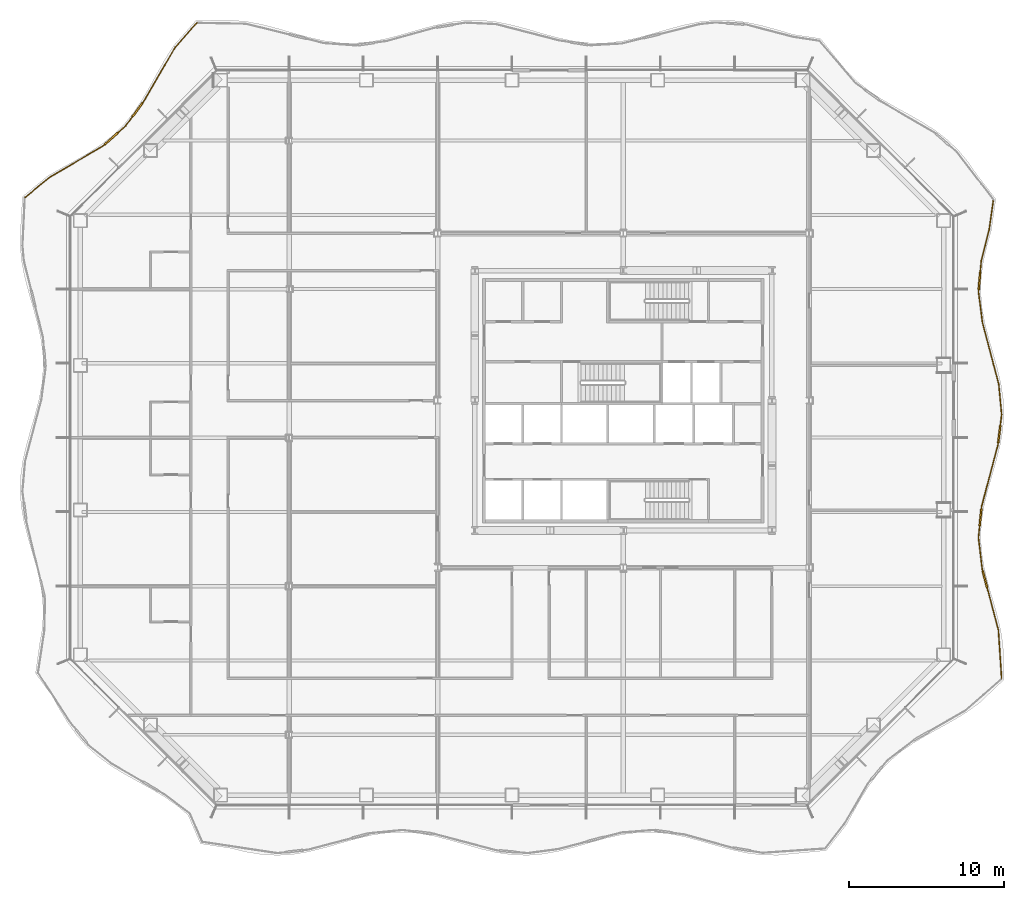
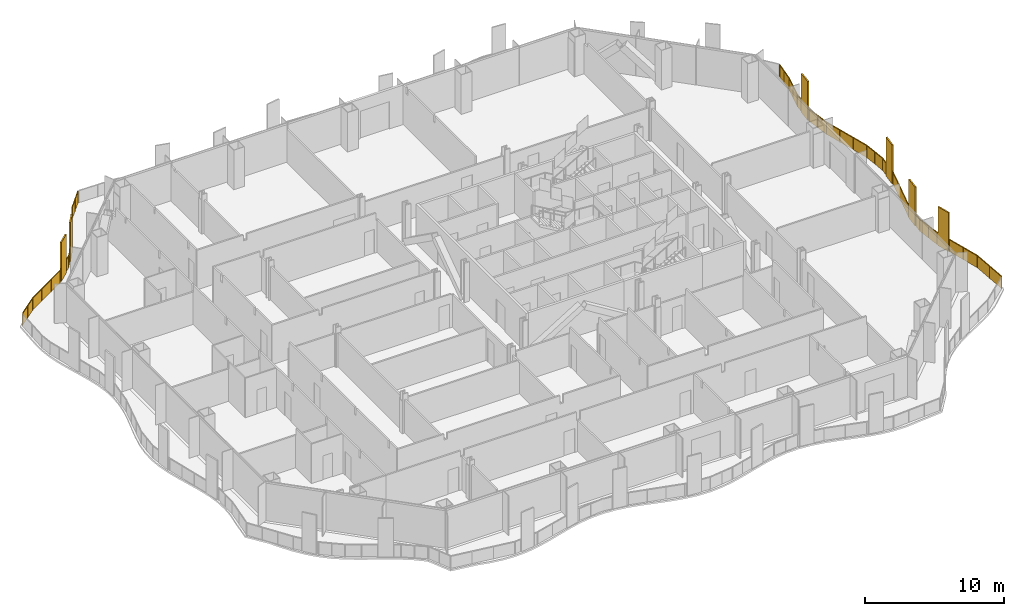
# One storey, part 16 of 18: 2 railings.
"""IFC4 building model written with IfcOpenShell, lengths in metres."""

from ifc_helpers import new_model, si_unit, direction, frame, origin, origin_2d, place, context, subcontext, project, spatial, polyline, rectangle, outline, extrude, material, type_object, element, save


model = new_model("IFC4")

# Units and contexts
model_context = context("Model", 3, precision=1e-05, world=origin(), true_north=direction((0.0, 1.0)))
body_context = subcontext(model_context, "Body", "Model", "MODEL_VIEW")
ifc_project = project(units=[si_unit("LENGTHUNIT", "METRE"), si_unit("AREAUNIT", "SQUARE_METRE"), si_unit("VOLUMEUNIT", "CUBIC_METRE"), si_unit("PLANEANGLEUNIT", "RADIAN"), si_unit("MASSUNIT", "GRAM", prefix="KILO")], contexts=[model_context])

# Site, building, storey
site_placement = place(None, origin())
site = spatial("IfcSite", under=ifc_project, at=site_placement, CompositionType="ELEMENT")
building_placement = place(site_placement, origin())
building = spatial("IfcBuilding", under=site, at=building_placement, Name="Cairn Pilgrim Tower", CompositionType="ELEMENT")
storey_placement = place(building_placement, frame((0.0, 0.0, 72.60009765625)))
storey = spatial("IfcBuildingStorey", under=building, at=storey_placement, Name="L16", CompositionType="ELEMENT", Elevation=72.60009765625)

# Railings
ifc_material = material(Name="Bronze anodised aluminium rail, posts and fin screens with laminated glass infill", Category="aluminium")
railing_type = type_object("IfcRailingType", Name="BALCONY GUARD WITH FIN SCREENS", PredefinedType="GUARDRAIL", material=ifc_material)
railing_1_placement = place(storey_placement, frame((31.6455078125, -15.57861328125, 0.0)))
element("IfcRailing", 1, at=railing_1_placement, inside=storey, type_object=railing_type, Name="Balcony guard BGF-3 with fin screens", PredefinedType="GUARDRAIL", context=body_context, shape_type="SweptSolid", body=[
    extrude(rectangle(XDim=0.050048828125, YDim=0.050048828125, at=origin_2d()), frame((0.0, 0.0, 1.0751953125), z_axis=(-0.065551006048, 0.997849219875, 0.0), x_axis=(-0.997849219875, -0.065551006048, 0.0)), (0.0, 0.0, 1.0), 3.147216796875),
    extrude(rectangle(XDim=1.10009765625, YDim=0.110107421875, at=origin_2d()), frame((-1.080078125, 6.4326171875, 0.0), z_axis=(0.0, 0.0, 1.0), x_axis=(-0.256555993458, 0.966529369559, 0.0)), (0.0, 0.0, 1.0), 3.39990234375),
    extrude(rectangle(XDim=0.050048828125, YDim=0.050048828125, at=origin_2d()), frame((-0.206298828125, 3.140380859375, 1.0751953125), z_axis=(-0.256555993458, 0.966529369559, 0.0), x_axis=(-0.966529369559, -0.256555993458, 0.0)), (0.0, 0.0, 1.0), 2.856201171875),
    extrude(rectangle(XDim=0.050048828125, YDim=0.050048828125, at=origin_2d()), frame((-1.22119140625, 6.964111328125, 1.0751953125), z_axis=(-0.256555993458, 0.966529369559, 0.0), x_axis=(-0.966529369559, -0.256555993458, 0.0)), (0.0, 0.0, 1.0), 0.150146484375),
    extrude(rectangle(XDim=0.050048828125, YDim=0.050048828125, at=origin_2d()), frame((-1.259765625, 7.109130859375, 1.0751953125), z_axis=(-0.116589668222, 0.993180169588, 0.0), x_axis=(-0.993180169588, -0.116589668222, 0.0)), (0.0, 0.0, 1.0), 2.027099609375),
    extrude(rectangle(XDim=1.10009765625, YDim=0.110107421875, at=origin_2d()), frame((-1.363037109375, 10.440185546875, 0.0), z_axis=(0.0, 0.0, 1.0), x_axis=(0.100458912253, 0.994941207785, 0.0)), (0.0, 0.0, 1.0), 3.39990234375),
    extrude(rectangle(XDim=0.050048828125, YDim=0.050048828125, at=origin_2d()), frame((-1.49609375, 9.122314453125, 1.0751953125), z_axis=(0.100458912253, 0.994941207785, 0.0), x_axis=(-0.994941207785, 0.100458912253, 0.0)), (0.0, 0.0, 1.0), 0.7744140625),
    extrude(rectangle(XDim=0.050048828125, YDim=0.050048828125, at=origin_2d()), frame((-1.307861328125, 10.9873046875, 1.0751953125), z_axis=(0.100458912253, 0.994941207785, 0.0), x_axis=(-0.994941207785, 0.100458912253, 0.0)), (0.0, 0.0, 1.0), 0.14990234375),
    extrude(rectangle(XDim=0.050048828125, YDim=0.050048828125, at=origin_2d()), frame((-1.292724609375, 11.136474609375, 1.0751953125), z_axis=(0.256453944866, 0.966556451617, 0.0), x_axis=(-0.966556451617, 0.256453944866, 0.0)), (0.0, 0.0, 1.0), 4.111572265625),
    extrude(rectangle(XDim=1.10009765625, YDim=0.110107421875, at=origin_2d()), frame((-0.15283203125, 15.80517578125, 0.0), z_axis=(0.0, 0.0, 1.0), x_axis=(0.122040892864, 0.992525072967, 0.0)), (0.0, 0.0, 1.0), 3.39990234375),
    extrude(rectangle(XDim=0.050048828125, YDim=0.050048828125, at=origin_2d()), frame((-0.23828125, 15.110595703125, 1.0751953125), z_axis=(0.122040892864, 0.992525072967, 0.0), x_axis=(-0.992525072967, 0.122040892864, 0.0)), (0.0, 0.0, 1.0), 0.14990234375),
    extrude(rectangle(XDim=0.050048828125, YDim=0.050048828125, at=origin_2d()), frame((-0.085693359375, 16.35107421875, 1.0751953125), z_axis=(0.122040892864, 0.992525072967, 0.0), x_axis=(-0.992525072967, 0.122040892864, 0.0)), (0.0, 0.0, 1.0), 0.724609375),
    extrude(rectangle(XDim=0.050048828125, YDim=0.050048828125, at=origin_2d()), frame((0.002685546875, 17.0703125, 1.0751953125), z_axis=(-0.094721215654, 0.995503837916, 0.0), x_axis=(-0.995503837916, -0.094721215654, 0.0)), (0.0, 0.0, 1.0), 1.966552734375),
    extrude(rectangle(XDim=0.050048828125, YDim=0.050048828125, at=origin_2d()), frame((-0.18359375, 19.028076171875, 1.0751953125), z_axis=(-0.256149073631, 0.966637290858, 0.0), x_axis=(-0.966637290858, -0.256149073631, 0.0)), (0.0, 0.0, 1.0), 4.10693359375),
    extrude(rectangle(XDim=0.050048828125, YDim=0.050048828125, at=origin_2d()), frame((-1.235595703125, 22.998046875, 1.0751953125), z_axis=(-0.12755894813, 0.991830991022, 0.0), x_axis=(-0.991830991022, -0.12755894813, 0.0)), (0.0, 0.0, 1.0), 2.02880859375),
    extrude(rectangle(XDim=1.10009765625, YDim=0.110107421875, at=origin_2d()), frame((-1.43212890625, 25.707275390625, 0.0), z_axis=(0.0, 0.0, 1.0), x_axis=(0.088848531032, 0.996045148843, 0.0)), (0.0, 0.0, 1.0), 3.39990234375),
    extrude(rectangle(XDim=0.050048828125, YDim=0.050048828125, at=origin_2d()), frame((-1.494384765625, 25.01025390625, 1.0751953125), z_axis=(0.088848531032, 0.996045148843, 0.0), x_axis=(-0.996045148843, 0.088848531032, 0.0)), (0.0, 0.0, 1.0), 0.14990234375),
    extrude(rectangle(XDim=0.050048828125, YDim=0.050048828125, at=origin_2d()), frame((-1.38330078125, 26.255126953125, 1.0751953125), z_axis=(0.088848531032, 0.996045148843, 0.0), x_axis=(-0.996045148843, 0.088848531032, 0.0)), (0.0, 0.0, 1.0), 0.7724609375),
    extrude(rectangle(XDim=0.050048828125, YDim=0.050048828125, at=origin_2d()), frame((-1.314697265625, 27.024658203125, 1.0751953125), z_axis=(0.247342884955, 0.968928014489, 0.0), x_axis=(-0.968928014489, 0.247342884955, 0.0)), (0.0, 0.0, 1.0), 2.053955078125),
    extrude(rectangle(XDim=0.050048828125, YDim=0.050048828125, at=origin_2d()), frame((-0.806640625, 29.014892578125, 1.0751953125), z_axis=(0.14167218954, 0.989913627904, 0.0), x_axis=(-0.989913627904, 0.14167218954, 0.0)), (0.0, 0.0, 1.0), 1.90771484375),
    extrude(rectangle(XDim=0.050048828125, YDim=0.050048828125, at=origin_2d()), origin(), (0.0, 0.0, 1.0), 1.050048828125),
    extrude(rectangle(XDim=0.050048828125, YDim=0.050048828125, at=origin_2d()), frame((-0.10302734375, 1.5703125, 0.0)), (0.0, 0.0, 1.0), 1.050048828125),
    extrude(rectangle(XDim=0.050048828125, YDim=0.050048828125, at=origin_2d()), frame((-0.206298828125, 3.140380859375, 0.0)), (0.0, 0.0, 1.0), 1.050048828125),
    extrude(rectangle(XDim=0.050048828125, YDim=0.050048828125, at=origin_2d()), frame((-0.569580078125, 4.508544921875, 0.0)), (0.0, 0.0, 1.0), 1.050048828125),
    extrude(rectangle(XDim=0.050048828125, YDim=0.050048828125, at=origin_2d()), frame((-0.9326171875, 5.876708984375, 0.0)), (0.0, 0.0, 1.0), 1.050048828125),
    extrude(rectangle(XDim=0.050048828125, YDim=0.050048828125, at=origin_2d()), frame((-1.227783203125, 6.98828125, 0.0)), (0.0, 0.0, 1.0), 1.050048828125),
    extrude(rectangle(XDim=0.050048828125, YDim=0.050048828125, at=origin_2d()), frame((-1.259765625, 7.109130859375, 0.0)), (0.0, 0.0, 1.0), 1.050048828125),
    extrude(rectangle(XDim=0.050048828125, YDim=0.050048828125, at=origin_2d()), frame((-1.3779296875, 8.11572265625, 0.0)), (0.0, 0.0, 1.0), 1.050048828125),
    extrude(rectangle(XDim=0.050048828125, YDim=0.050048828125, at=origin_2d()), frame((-1.49609375, 9.122314453125, 0.0)), (0.0, 0.0, 1.0), 1.050048828125),
    extrude(rectangle(XDim=0.050048828125, YDim=0.050048828125, at=origin_2d()), frame((-1.4208984375, 9.867919921875, 0.0)), (0.0, 0.0, 1.0), 1.050048828125),
    extrude(rectangle(XDim=0.050048828125, YDim=0.050048828125, at=origin_2d()), frame((-1.30517578125, 11.01220703125, 0.0)), (0.0, 0.0, 1.0), 1.050048828125),
    extrude(rectangle(XDim=0.050048828125, YDim=0.050048828125, at=origin_2d()), frame((-1.292724609375, 11.136474609375, 0.0)), (0.0, 0.0, 1.0), 1.050048828125),
    extrude(rectangle(XDim=0.050048828125, YDim=0.050048828125, at=origin_2d()), frame((-0.941162109375, 12.461181640625, 0.0)), (0.0, 0.0, 1.0), 1.050048828125),
    extrude(rectangle(XDim=0.050048828125, YDim=0.050048828125, at=origin_2d()), frame((-0.58984375, 13.785888671875, 0.0)), (0.0, 0.0, 1.0), 1.050048828125),
    extrude(rectangle(XDim=0.050048828125, YDim=0.050048828125, at=origin_2d()), frame((-0.23828125, 15.110595703125, 0.0)), (0.0, 0.0, 1.0), 1.050048828125),
    extrude(rectangle(XDim=0.050048828125, YDim=0.050048828125, at=origin_2d()), frame((-0.22314453125, 15.234619140625, 0.0)), (0.0, 0.0, 1.0), 1.050048828125),
    extrude(rectangle(XDim=0.050048828125, YDim=0.050048828125, at=origin_2d()), frame((-0.082763671875, 16.3759765625, 0.0)), (0.0, 0.0, 1.0), 1.050048828125),
    extrude(rectangle(XDim=0.050048828125, YDim=0.050048828125, at=origin_2d()), frame((0.002685546875, 17.0703125, 0.0)), (0.0, 0.0, 1.0), 1.050048828125),
    extrude(rectangle(XDim=0.050048828125, YDim=0.050048828125, at=origin_2d()), frame((-0.09033203125, 18.04931640625, 0.0)), (0.0, 0.0, 1.0), 1.050048828125),
    extrude(rectangle(XDim=0.050048828125, YDim=0.050048828125, at=origin_2d()), frame((-0.18359375, 19.028076171875, 0.0)), (0.0, 0.0, 1.0), 1.050048828125),
    extrude(rectangle(XDim=0.050048828125, YDim=0.050048828125, at=origin_2d()), frame((-0.5341796875, 20.351318359375, 0.0)), (0.0, 0.0, 1.0), 1.050048828125),
    extrude(rectangle(XDim=0.050048828125, YDim=0.050048828125, at=origin_2d()), frame((-0.885009765625, 21.6748046875, 0.0)), (0.0, 0.0, 1.0), 1.050048828125),
    extrude(rectangle(XDim=0.050048828125, YDim=0.050048828125, at=origin_2d()), frame((-1.235595703125, 22.998046875, 0.0)), (0.0, 0.0, 1.0), 1.050048828125),
    extrude(rectangle(XDim=0.050048828125, YDim=0.050048828125, at=origin_2d()), frame((-1.364990234375, 24.004150390625, 0.0)), (0.0, 0.0, 1.0), 1.050048828125),
    extrude(rectangle(XDim=0.050048828125, YDim=0.050048828125, at=origin_2d()), frame((-1.494384765625, 25.01025390625, 0.0)), (0.0, 0.0, 1.0), 1.050048828125),
    extrude(rectangle(XDim=0.050048828125, YDim=0.050048828125, at=origin_2d()), frame((-1.4833984375, 25.134521484375, 0.0)), (0.0, 0.0, 1.0), 1.050048828125),
    extrude(rectangle(XDim=0.050048828125, YDim=0.050048828125, at=origin_2d()), frame((-1.381103515625, 26.280029296875, 0.0)), (0.0, 0.0, 1.0), 1.050048828125),
    extrude(rectangle(XDim=0.050048828125, YDim=0.050048828125, at=origin_2d()), frame((-1.314697265625, 27.024658203125, 0.0)), (0.0, 0.0, 1.0), 1.050048828125),
    extrude(rectangle(XDim=0.050048828125, YDim=0.050048828125, at=origin_2d()), frame((-1.060546875, 28.019775390625, 0.0)), (0.0, 0.0, 1.0), 1.050048828125),
    extrude(rectangle(XDim=0.050048828125, YDim=0.050048828125, at=origin_2d()), frame((-0.806640625, 29.014892578125, 0.0)), (0.0, 0.0, 1.0), 1.050048828125),
    extrude(rectangle(XDim=0.050048828125, YDim=0.050048828125, at=origin_2d()), frame((-0.67138671875, 29.958984375, 0.0)), (0.0, 0.0, 1.0), 1.050048828125),
    extrude(rectangle(XDim=0.050048828125, YDim=0.050048828125, at=origin_2d()), frame((-0.536376953125, 30.9033203125, 0.0)), (0.0, 0.0, 1.0), 1.050048828125),
    extrude(outline(polyline([(0.02490234375, 0.0), (1.548583984375, 0.0), (1.548583984375, 1.050048828125), (0.02490234375, 1.050048828125), (0.02490234375, 0.0)])), frame((-0.005859375, -0.00048828125, 0.0), z_axis=(0.997849219875, 0.065551006048, 0.0), x_axis=(-0.065551006048, 0.997849219875, 0.0)), (0.0, 0.0, 1.0), 0.011962890625),
    extrude(outline(polyline([(0.02490234375, 0.0), (1.548583984375, 0.0), (1.548583984375, 1.050048828125), (0.02490234375, 1.050048828125), (0.02490234375, 0.0)])), frame((-0.109130859375, 1.56982421875, 0.0), z_axis=(0.997849219875, 0.065551006048, 0.0), x_axis=(-0.065551006048, 0.997849219875, 0.0)), (0.0, 0.0, 1.0), 0.011962890625),
    extrude(outline(polyline([(0.02490234375, 0.0), (1.390625, 0.0), (1.390625, 1.050048828125), (0.02490234375, 1.050048828125), (0.02490234375, 0.0)])), frame((-0.212158203125, 3.138916015625, 0.0), z_axis=(0.966529369559, 0.256555993458, 0.0), x_axis=(-0.256555993458, 0.966529369559, 0.0)), (0.0, 0.0, 1.0), 0.011962890625),
    extrude(outline(polyline([(0.02490234375, 0.0), (1.390625, 0.0), (1.390625, 1.050048828125), (0.02490234375, 1.050048828125), (0.02490234375, 0.0)])), frame((-0.5751953125, 4.507080078125, 0.0), z_axis=(0.966529369559, 0.256555993458, 0.0), x_axis=(-0.256555993458, 0.966529369559, 0.0)), (0.0, 0.0, 1.0), 0.011962890625),
    extrude(outline(polyline([(0.02490234375, 0.0), (0.10009765625, 0.0), (0.10009765625, 1.050048828125), (0.02490234375, 1.050048828125), (0.02490234375, 0.0)])), frame((-1.2333984375, 6.98681640625, 0.0), z_axis=(0.966529369559, 0.256555993458, 0.0), x_axis=(-0.256555993458, 0.966529369559, 0.0)), (0.0, 0.0, 1.0), 0.011962890625),
    extrude(outline(polyline([(0.02490234375, 0.0), (0.988525390625, 0.0), (0.988525390625, 1.050048828125), (0.02490234375, 1.050048828125), (0.02490234375, 0.0)])), frame((-1.265625, 7.1083984375, 0.0), z_axis=(0.993180169588, 0.116589668222, 0.0), x_axis=(-0.116589668222, 0.993180169588, 0.0)), (0.0, 0.0, 1.0), 0.011962890625),
    extrude(outline(polyline([(0.02490234375, 0.0), (0.988525390625, 0.0), (0.988525390625, 1.050048828125), (0.02490234375, 1.050048828125), (0.02490234375, 0.0)])), frame((-1.3837890625, 8.114990234375, 0.0), z_axis=(0.993180169588, 0.116589668222, 0.0), x_axis=(-0.116589668222, 0.993180169588, 0.0)), (0.0, 0.0, 1.0), 0.011962890625),
    extrude(outline(polyline([(0.02490234375, 0.0), (0.724365234375, 0.0), (0.724365234375, 1.050048828125), (0.02490234375, 1.050048828125), (0.02490234375, 0.0)])), frame((-1.501953125, 9.122802734375, 0.0), z_axis=(0.994941207785, -0.100458912253, 0.0), x_axis=(0.100458912253, 0.994941207785, 0.0)), (0.0, 0.0, 1.0), 0.011962890625),
    extrude(outline(polyline([(0.02490234375, 0.0), (0.099853515625, 0.0), (0.099853515625, 1.050048828125), (0.02490234375, 1.050048828125), (0.02490234375, 0.0)])), frame((-1.311279296875, 11.0126953125, 0.0), z_axis=(0.994941207785, -0.100458912253, 0.0), x_axis=(0.100458912253, 0.994941207785, 0.0)), (0.0, 0.0, 1.0), 0.011962890625),
    extrude(outline(polyline([(0.02490234375, 0.0), (1.345458984375, 0.0), (1.345458984375, 1.050048828125), (0.02490234375, 1.050048828125), (0.02490234375, 0.0)])), frame((-1.298583984375, 11.137939453125, 0.0), z_axis=(0.966556451617, -0.256453944866, 0.0), x_axis=(0.256453944866, 0.966556451617, 0.0)), (0.0, 0.0, 1.0), 0.011962890625),
    extrude(outline(polyline([(0.02490234375, 0.0), (1.345458984375, 0.0), (1.345458984375, 1.050048828125), (0.02490234375, 1.050048828125), (0.02490234375, 0.0)])), frame((-0.947021484375, 12.462646484375, 0.0), z_axis=(0.966556451617, -0.256453944866, 0.0), x_axis=(0.256453944866, 0.966556451617, 0.0)), (0.0, 0.0, 1.0), 0.011962890625),
    extrude(outline(polyline([(0.02490234375, 0.0), (1.345458984375, 0.0), (1.345458984375, 1.050048828125), (0.02490234375, 1.050048828125), (0.02490234375, 0.0)])), frame((-0.595458984375, 13.787353515625, 0.0), z_axis=(0.966556451617, -0.256453944866, 0.0), x_axis=(0.256453944866, 0.966556451617, 0.0)), (0.0, 0.0, 1.0), 0.011962890625),
    extrude(outline(polyline([(0.02490234375, 0.0), (0.099853515625, 0.0), (0.099853515625, 1.050048828125), (0.02490234375, 1.050048828125), (0.02490234375, 0.0)])), frame((-0.244140625, 15.111328125, 0.0), z_axis=(0.992525072967, -0.122040892864, 0.0), x_axis=(0.122040892864, 0.992525072967, 0.0)), (0.0, 0.0, 1.0), 0.011962890625),
    extrude(outline(polyline([(0.02490234375, 0.0), (0.674560546875, 0.0), (0.674560546875, 1.050048828125), (0.02490234375, 1.050048828125), (0.02490234375, 0.0)])), frame((-0.088623046875, 16.376708984375, 0.0), z_axis=(0.992525072967, -0.122040892864, 0.0), x_axis=(0.122040892864, 0.992525072967, 0.0)), (0.0, 0.0, 1.0), 0.011962890625),
    extrude(outline(polyline([(0.02490234375, 0.0), (0.958251953125, 0.0), (0.958251953125, 1.050048828125), (0.02490234375, 1.050048828125), (0.02490234375, 0.0)])), frame((-0.003173828125, 17.06982421875, 0.0), z_axis=(0.995503837916, 0.094721215654, 0.0), x_axis=(-0.094721215654, 0.995503837916, 0.0)), (0.0, 0.0, 1.0), 0.011962890625),
    extrude(outline(polyline([(0.02490234375, 0.0), (0.958251953125, 0.0), (0.958251953125, 1.050048828125), (0.02490234375, 1.050048828125), (0.02490234375, 0.0)])), frame((-0.096435546875, 18.048583984375, 0.0), z_axis=(0.995503837916, 0.094721215654, 0.0), x_axis=(-0.094721215654, 0.995503837916, 0.0)), (0.0, 0.0, 1.0), 0.011962890625),
    extrude(outline(polyline([(0.02490234375, 0.0), (1.343994140625, 0.0), (1.343994140625, 1.050048828125), (0.02490234375, 1.050048828125), (0.02490234375, 0.0)])), frame((-0.189453125, 19.026611328125, 0.0), z_axis=(0.966637290858, 0.256149073631, 0.0), x_axis=(-0.256149073631, 0.966637290858, 0.0)), (0.0, 0.0, 1.0), 0.011962890625),
    extrude(outline(polyline([(0.02490234375, 0.0), (1.343994140625, 0.0), (1.343994140625, 1.050048828125), (0.02490234375, 1.050048828125), (0.02490234375, 0.0)])), frame((-0.5400390625, 20.349853515625, 0.0), z_axis=(0.966637290858, 0.256149073631, 0.0), x_axis=(-0.256149073631, 0.966637290858, 0.0)), (0.0, 0.0, 1.0), 0.011962890625),
    extrude(outline(polyline([(0.02490234375, 0.0), (1.343994140625, 0.0), (1.343994140625, 1.050048828125), (0.02490234375, 1.050048828125), (0.02490234375, 0.0)])), frame((-0.890625, 21.673095703125, 0.0), z_axis=(0.966637290858, 0.256149073631, 0.0), x_axis=(-0.256149073631, 0.966637290858, 0.0)), (0.0, 0.0, 1.0), 0.011962890625),
    extrude(outline(polyline([(0.02490234375, 0.0), (0.9892578125, 0.0), (0.9892578125, 1.050048828125), (0.02490234375, 1.050048828125), (0.02490234375, 0.0)])), frame((-1.241455078125, 22.997314453125, 0.0), z_axis=(0.991830991022, 0.12755894813, 0.0), x_axis=(-0.12755894813, 0.991830991022, 0.0)), (0.0, 0.0, 1.0), 0.011962890625),
    extrude(outline(polyline([(0.02490234375, 0.0), (0.9892578125, 0.0), (0.9892578125, 1.050048828125), (0.02490234375, 1.050048828125), (0.02490234375, 0.0)])), frame((-1.370849609375, 24.00341796875, 0.0), z_axis=(0.991830991022, 0.12755894813, 0.0), x_axis=(-0.12755894813, 0.991830991022, 0.0)), (0.0, 0.0, 1.0), 0.011962890625),
    extrude(outline(polyline([(0.02490234375, 0.0), (0.099853515625, 0.0), (0.099853515625, 1.050048828125), (0.02490234375, 1.050048828125), (0.02490234375, 0.0)])), frame((-1.500244140625, 25.0107421875, 0.0), z_axis=(0.996045148843, -0.088848531032, 0.0), x_axis=(0.088848531032, 0.996045148843, 0.0)), (0.0, 0.0, 1.0), 0.011962890625),
    extrude(outline(polyline([(0.02490234375, 0.0), (0.722412109375, 0.0), (0.722412109375, 1.050048828125), (0.02490234375, 1.050048828125), (0.02490234375, 0.0)])), frame((-1.386962890625, 26.28076171875, 0.0), z_axis=(0.996045148843, -0.088848531032, 0.0), x_axis=(0.088848531032, 0.996045148843, 0.0)), (0.0, 0.0, 1.0), 0.011962890625),
    extrude(outline(polyline([(0.02490234375, 0.0), (1.001953125, 0.0), (1.001953125, 1.050048828125), (0.02490234375, 1.050048828125), (0.02490234375, 0.0)])), frame((-1.320556640625, 27.026123046875, 0.0), z_axis=(0.968928014489, -0.247342884955, 0.0), x_axis=(0.247342884955, 0.968928014489, 0.0)), (0.0, 0.0, 1.0), 0.011962890625),
    extrude(outline(polyline([(0.02490234375, 0.0), (1.001953125, 0.0), (1.001953125, 1.050048828125), (0.02490234375, 1.050048828125), (0.02490234375, 0.0)])), frame((-1.06640625, 28.021240234375, 0.0), z_axis=(0.968928014489, -0.247342884955, 0.0), x_axis=(0.247342884955, 0.968928014489, 0.0)), (0.0, 0.0, 1.0), 0.011962890625),
    extrude(outline(polyline([(0.02490234375, 0.0), (0.9287109375, 0.0), (0.9287109375, 1.050048828125), (0.02490234375, 1.050048828125), (0.02490234375, 0.0)])), frame((-0.8125, 29.015625, 0.0), z_axis=(0.989913627904, -0.14167218954, 0.0), x_axis=(0.14167218954, 0.989913627904, 0.0)), (0.0, 0.0, 1.0), 0.011962890625),
    extrude(outline(polyline([(0.02490234375, 0.0), (0.9287109375, 0.0), (0.9287109375, 1.050048828125), (0.02490234375, 1.050048828125), (0.02490234375, 0.0)])), frame((-0.677490234375, 29.9599609375, 0.0), z_axis=(0.989913627904, -0.14167218954, 0.0), x_axis=(0.14167218954, 0.989913627904, 0.0)), (0.0, 0.0, 1.0), 0.011962890625),
])
railing_2_placement = place(storey_placement, frame((-20.36279296875, 26.816162109375, 0.0)))
element("IfcRailing", 2, at=railing_2_placement, inside=storey, type_object=railing_type, Name="Balcony guard BGF-6 with fin screens", PredefinedType="GUARDRAIL", context=body_context, shape_type="SweptSolid", body=[
    extrude(rectangle(XDim=0.050048828125, YDim=0.050048828125, at=origin_2d()), frame((0.0, 0.0, 1.0751953125), z_axis=(-0.663247382076, -0.748400233945, 0.0), x_axis=(0.748400233945, -0.663247382076, 0.0)), (0.0, 0.0, 1.0), 2.118896484375),
    extrude(rectangle(XDim=0.050048828125, YDim=0.050048828125, at=origin_2d()), frame((-1.4052734375, -1.585693359375, 1.0751953125), z_axis=(-0.502786770552, -0.864410471569, 0.0), x_axis=(0.864410471569, -0.502786770552, 0.0)), (0.0, 0.0, 1.0), 4.005615234375),
    extrude(rectangle(XDim=1.10009765625, YDim=0.110107421875, at=origin_2d()), frame((-3.833740234375, -5.6123046875, 0.0), z_axis=(0.0, 0.0, 1.0), x_axis=(-0.592082951766, -0.805877024258, 0.0)), (0.0, 0.0, 1.0), 3.39990234375),
    extrude(rectangle(XDim=0.050048828125, YDim=0.050048828125, at=origin_2d()), frame((-3.419189453125, -5.048095703125, 1.0751953125), z_axis=(-0.592082951766, -0.805877024258, 0.0), x_axis=(0.805877024258, -0.592082951766, 0.0)), (0.0, 0.0, 1.0), 0.14990234375),
    extrude(rectangle(XDim=0.050048828125, YDim=0.050048828125, at=origin_2d()), frame((-4.159423828125, -6.055419921875, 1.0751953125), z_axis=(-0.592082951766, -0.805877024258, 0.0), x_axis=(0.805877024258, -0.592082951766, 0.0)), (0.0, 0.0, 1.0), 0.73583984375),
    extrude(rectangle(XDim=1.10009765625, YDim=0.110107421875, at=origin_2d()), frame((-5.545166015625, -7.495849609375, 0.0), z_axis=(0.0, 0.0, 1.0), x_axis=(-0.746350250463, -0.665553381506, 0.0)), (0.0, 0.0, 1.0), 3.39990234375),
    extrude(rectangle(XDim=0.050048828125, YDim=0.050048828125, at=origin_2d()), frame((-4.594970703125, -6.6484375, 1.0751953125), z_axis=(-0.746350250463, -0.665553381506, 0.0), x_axis=(0.665553381506, -0.746350250463, 0.0)), (0.0, 0.0, 1.0), 0.723388671875),
    extrude(rectangle(XDim=0.050048828125, YDim=0.050048828125, at=origin_2d()), frame((-5.955810546875, -7.86181640625, 1.0751953125), z_axis=(-0.746350250463, -0.665553381506, 0.0), x_axis=(0.665553381506, -0.746350250463, 0.0)), (0.0, 0.0, 1.0), 0.14990234375),
    extrude(rectangle(XDim=0.050048828125, YDim=0.050048828125, at=origin_2d()), frame((-6.067626953125, -7.961669921875, 1.0751953125), z_axis=(-0.862293876321, -0.506408205759, 0.0), x_axis=(0.506408205759, -0.862293876321, 0.0)), (0.0, 0.0, 1.0), 4.010986328125),
    extrude(rectangle(XDim=0.050048828125, YDim=0.050048828125, at=origin_2d()), frame((-9.5263671875, -9.992919921875, 1.0751953125), z_axis=(-0.773289124136, -0.634053570681, 0.0), x_axis=(0.634053570681, -0.773289124136, 0.0)), (0.0, 0.0, 1.0), 2.02001953125),
    extrude(rectangle(XDim=0.050048828125, YDim=0.050048828125, at=origin_2d()), origin(), (0.0, 0.0, 1.0), 1.050048828125),
    extrude(rectangle(XDim=0.050048828125, YDim=0.050048828125, at=origin_2d()), frame((-0.70263671875, -0.79296875, 0.0)), (0.0, 0.0, 1.0), 1.050048828125),
    extrude(rectangle(XDim=0.050048828125, YDim=0.050048828125, at=origin_2d()), frame((-1.4052734375, -1.585693359375, 0.0)), (0.0, 0.0, 1.0), 1.050048828125),
    extrude(rectangle(XDim=0.050048828125, YDim=0.050048828125, at=origin_2d()), frame((-2.07666015625, -2.73974609375, 0.0)), (0.0, 0.0, 1.0), 1.050048828125),
    extrude(rectangle(XDim=0.050048828125, YDim=0.050048828125, at=origin_2d()), frame((-2.747802734375, -3.89404296875, 0.0)), (0.0, 0.0, 1.0), 1.050048828125),
    extrude(rectangle(XDim=0.050048828125, YDim=0.050048828125, at=origin_2d()), frame((-3.419189453125, -5.048095703125, 0.0)), (0.0, 0.0, 1.0), 1.050048828125),
    extrude(rectangle(XDim=0.050048828125, YDim=0.050048828125, at=origin_2d()), frame((-3.4931640625, -5.14892578125, 0.0)), (0.0, 0.0, 1.0), 1.050048828125),
    extrude(rectangle(XDim=0.050048828125, YDim=0.050048828125, at=origin_2d()), frame((-4.174072265625, -6.07568359375, 0.0)), (0.0, 0.0, 1.0), 1.050048828125),
    extrude(rectangle(XDim=0.050048828125, YDim=0.050048828125, at=origin_2d()), frame((-4.594970703125, -6.6484375, 0.0)), (0.0, 0.0, 1.0), 1.050048828125),
    extrude(rectangle(XDim=0.050048828125, YDim=0.050048828125, at=origin_2d()), frame((-5.1162109375, -7.11328125, 0.0)), (0.0, 0.0, 1.0), 1.050048828125),
    extrude(rectangle(XDim=0.050048828125, YDim=0.050048828125, at=origin_2d()), frame((-5.974365234375, -7.878662109375, 0.0)), (0.0, 0.0, 1.0), 1.050048828125),
    extrude(rectangle(XDim=0.050048828125, YDim=0.050048828125, at=origin_2d()), frame((-6.067626953125, -7.961669921875, 0.0)), (0.0, 0.0, 1.0), 1.050048828125),
    extrude(rectangle(XDim=0.050048828125, YDim=0.050048828125, at=origin_2d()), frame((-7.220458984375, -8.638671875, 0.0)), (0.0, 0.0, 1.0), 1.050048828125),
    extrude(rectangle(XDim=0.050048828125, YDim=0.050048828125, at=origin_2d()), frame((-8.37353515625, -9.31591796875, 0.0)), (0.0, 0.0, 1.0), 1.050048828125),
    extrude(rectangle(XDim=0.050048828125, YDim=0.050048828125, at=origin_2d()), frame((-9.5263671875, -9.992919921875, 0.0)), (0.0, 0.0, 1.0), 1.050048828125),
    extrude(rectangle(XDim=0.050048828125, YDim=0.050048828125, at=origin_2d()), frame((-10.307373046875, -10.63330078125, 0.0)), (0.0, 0.0, 1.0), 1.050048828125),
    extrude(rectangle(XDim=0.050048828125, YDim=0.050048828125, at=origin_2d()), frame((-11.08837890625, -11.273681640625, 0.0)), (0.0, 0.0, 1.0), 1.050048828125),
    extrude(outline(polyline([(0.02490234375, 0.0), (1.034423828125, 0.0), (1.034423828125, 1.050048828125), (0.02490234375, 1.050048828125), (0.02490234375, 0.0)])), frame((0.00439453125, -0.00390625, 0.0), z_axis=(-0.748400233945, 0.663247382076, 0.0), x_axis=(-0.663247382076, -0.748400233945, 0.0)), (0.0, 0.0, 1.0), 0.011962890625),
    extrude(outline(polyline([(0.02490234375, 0.0), (1.034423828125, 0.0), (1.034423828125, 1.050048828125), (0.02490234375, 1.050048828125), (0.02490234375, 0.0)])), frame((-0.6982421875, -0.796875, 0.0), z_axis=(-0.748400233945, 0.663247382076, 0.0), x_axis=(-0.663247382076, -0.748400233945, 0.0)), (0.0, 0.0, 1.0), 0.011962890625),
    extrude(outline(polyline([(0.02490234375, 0.0), (1.31005859375, 0.0), (1.31005859375, 1.050048828125), (0.02490234375, 1.050048828125), (0.02490234375, 0.0)])), frame((-1.400146484375, -1.588623046875, 0.0), z_axis=(-0.864410471569, 0.502786770552, 0.0), x_axis=(-0.502786770552, -0.864410471569, 0.0)), (0.0, 0.0, 1.0), 0.011962890625),
    extrude(outline(polyline([(0.02490234375, 0.0), (1.31005859375, 0.0), (1.31005859375, 1.050048828125), (0.02490234375, 1.050048828125), (0.02490234375, 0.0)])), frame((-2.0712890625, -2.742919921875, 0.0), z_axis=(-0.864410471569, 0.502786770552, 0.0), x_axis=(-0.502786770552, -0.864410471569, 0.0)), (0.0, 0.0, 1.0), 0.011962890625),
    extrude(outline(polyline([(0.02490234375, 0.0), (1.31005859375, 0.0), (1.31005859375, 1.050048828125), (0.02490234375, 1.050048828125), (0.02490234375, 0.0)])), frame((-2.74267578125, -3.89697265625, 0.0), z_axis=(-0.864410471569, 0.502786770552, 0.0), x_axis=(-0.502786770552, -0.864410471569, 0.0)), (0.0, 0.0, 1.0), 0.011962890625),
    extrude(outline(polyline([(0.02490234375, 0.0), (0.099853515625, 0.0), (0.099853515625, 1.050048828125), (0.02490234375, 1.050048828125), (0.02490234375, 0.0)])), frame((-3.414306640625, -5.0517578125, 0.0), z_axis=(-0.805877024258, 0.592082951766, 0.0), x_axis=(-0.592082951766, -0.805877024258, 0.0)), (0.0, 0.0, 1.0), 0.011962890625),
    extrude(outline(polyline([(0.02490234375, 0.0), (0.685791015625, 0.0), (0.685791015625, 1.050048828125), (0.02490234375, 1.050048828125), (0.02490234375, 0.0)])), frame((-4.169189453125, -6.0791015625, 0.0), z_axis=(-0.805877024258, 0.592082951766, 0.0), x_axis=(-0.592082951766, -0.805877024258, 0.0)), (0.0, 0.0, 1.0), 0.011962890625),
    extrude(outline(polyline([(0.02490234375, 0.0), (0.67333984375, 0.0), (0.67333984375, 1.050048828125), (0.02490234375, 1.050048828125), (0.02490234375, 0.0)])), frame((-4.591064453125, -6.65283203125, 0.0), z_axis=(-0.665553381506, 0.746350250463, 0.0), x_axis=(-0.746350250463, -0.665553381506, 0.0)), (0.0, 0.0, 1.0), 0.011962890625),
    extrude(outline(polyline([(0.02490234375, 0.0), (0.099853515625, 0.0), (0.099853515625, 1.050048828125), (0.02490234375, 1.050048828125), (0.02490234375, 0.0)])), frame((-5.970458984375, -7.883056640625, 0.0), z_axis=(-0.665553381506, 0.746350250463, 0.0), x_axis=(-0.746350250463, -0.665553381506, 0.0)), (0.0, 0.0, 1.0), 0.011962890625),
    extrude(outline(polyline([(0.02490234375, 0.0), (1.31201171875, 0.0), (1.31201171875, 1.050048828125), (0.02490234375, 1.050048828125), (0.02490234375, 0.0)])), frame((-6.064697265625, -7.966796875, 0.0), z_axis=(-0.506408205759, 0.862293876321, 0.0), x_axis=(-0.862293876321, -0.506408205759, 0.0)), (0.0, 0.0, 1.0), 0.011962890625),
    extrude(outline(polyline([(0.02490234375, 0.0), (1.31201171875, 0.0), (1.31201171875, 1.050048828125), (0.02490234375, 1.050048828125), (0.02490234375, 0.0)])), frame((-7.217529296875, -8.643798828125, 0.0), z_axis=(-0.506408205759, 0.862293876321, 0.0), x_axis=(-0.862293876321, -0.506408205759, 0.0)), (0.0, 0.0, 1.0), 0.011962890625),
    extrude(outline(polyline([(0.02490234375, 0.0), (1.31201171875, 0.0), (1.31201171875, 1.050048828125), (0.02490234375, 1.050048828125), (0.02490234375, 0.0)])), frame((-8.370361328125, -9.321044921875, 0.0), z_axis=(-0.506408205759, 0.862293876321, 0.0), x_axis=(-0.862293876321, -0.506408205759, 0.0)), (0.0, 0.0, 1.0), 0.011962890625),
    extrude(outline(polyline([(0.02490234375, 0.0), (0.98486328125, 0.0), (0.98486328125, 1.050048828125), (0.02490234375, 1.050048828125), (0.02490234375, 0.0)])), frame((-9.5224609375, -9.99755859375, 0.0), z_axis=(-0.634053570681, 0.773289124136, 0.0), x_axis=(-0.773289124136, -0.634053570681, 0.0)), (0.0, 0.0, 1.0), 0.011962890625),
    extrude(outline(polyline([(0.02490234375, 0.0), (0.98486328125, 0.0), (0.98486328125, 1.050048828125), (0.02490234375, 1.050048828125), (0.02490234375, 0.0)])), frame((-10.303466796875, -10.637939453125, 0.0), z_axis=(-0.634053570681, 0.773289124136, 0.0), x_axis=(-0.773289124136, -0.634053570681, 0.0)), (0.0, 0.0, 1.0), 0.011962890625),
])

save(model, "model.ifc")
